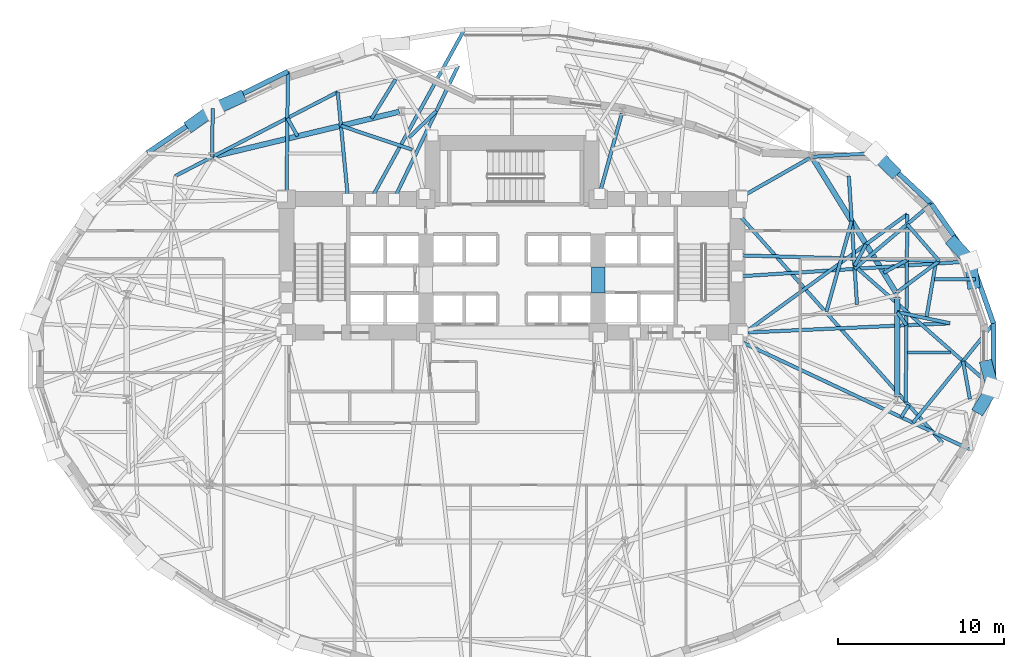
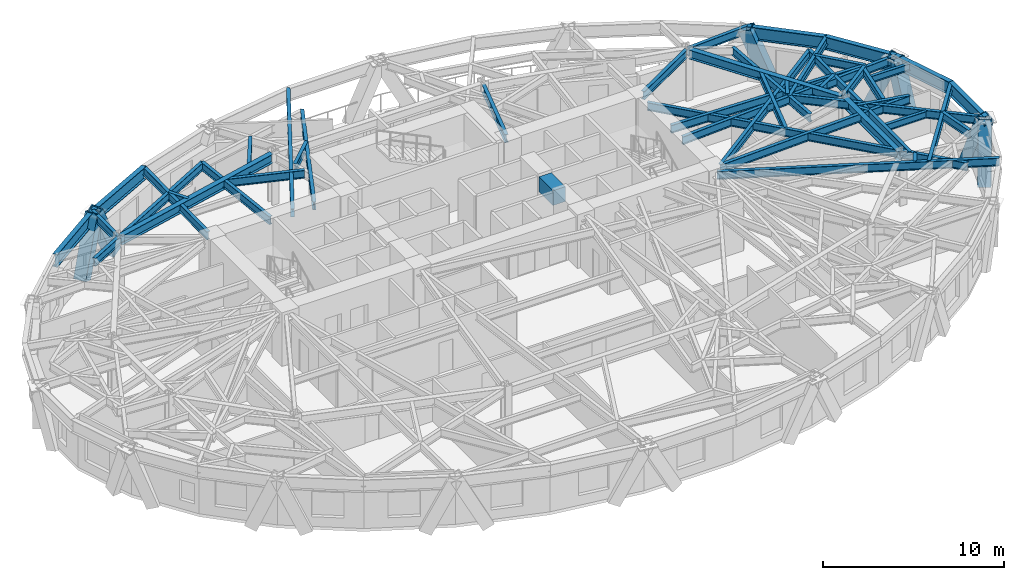
# One storey, part 4 of 15: 46 beams, 7 members.
"""IFC4 building model written with IfcOpenShell, lengths in metres."""

from ifc_helpers import new_model, si_unit, direction, frame, origin, origin_2d, place, context, subcontext, project, spatial, rectangle, hollow_rectangle, i_section, extrude, material, material_profile, profile_set, type_object, element, save


model = new_model("IFC4")

# Units and contexts
model_context = context("Model", 3, precision=1e-05, world=origin(), true_north=direction((0.0, 1.0)))
body_context = subcontext(model_context, "Body", "Model", "MODEL_VIEW")
ifc_project = project(units=[si_unit("LENGTHUNIT", "METRE"), si_unit("AREAUNIT", "SQUARE_METRE"), si_unit("VOLUMEUNIT", "CUBIC_METRE"), si_unit("PLANEANGLEUNIT", "RADIAN"), si_unit("MASSUNIT", "GRAM", prefix="KILO")], contexts=[model_context])

# Site, building, storey
site_placement = place(None, origin())
site = spatial("IfcSite", under=ifc_project, at=site_placement, CompositionType="ELEMENT")
building_placement = place(site_placement, origin())
building = spatial("IfcBuilding", under=site, at=building_placement, Name="Keldmark Tower", CompositionType="ELEMENT")
storey_placement = place(building_placement, frame((0.0, 0.0, 55.800048828125)))
storey = spatial("IfcBuildingStorey", under=building, at=storey_placement, Name="L14", CompositionType="ELEMENT", Elevation=55.800048828125)

# Beams
ifc_material_1 = material(Name="Steel ASTM A992 Grade 50", Category="steel")
ifc_material_profile_1 = material_profile(ifc_material_1, i_section(OverallWidth=0.19091796875, OverallDepth=0.45703125, WebThickness=0.009033203125, FlangeThickness=0.014404296875, at=origin_2d()), Name="W18X50")
ifc_profile_set_1 = profile_set([ifc_material_profile_1], Name="Steel ASTM A992 Grade 50")
beam_type_1 = type_object("IfcBeamType", Name="Composite Floor Joist W18X50", PredefinedType="JOIST", material=ifc_profile_set_1)
beam_1_placement = place(storey_placement, frame((23.880615234375, 0.199951171875, 3.17138671875), z_axis=(1.0, 0.0, 0.0), x_axis=(0.0, 1.0, 0.0)))
element("IfcBeam", 1, at=beam_1_placement, inside=storey, type_object=beam_type_1, Name="L14 Composite Floor Joist J11", PredefinedType="JOIST", context=body_context, shape_type="SweptSolid", body=[
    extrude(i_section(OverallWidth=0.19091796875, OverallDepth=0.45703125, WebThickness=0.009033203125, FlangeThickness=0.014404296875, at=origin_2d()), origin(), (0.0, 0.0, 1.0), 2.591796875),
])
beam_2_placement = place(storey_placement, frame((25.503173828125, 4.6201171875, 3.17138671875), z_axis=(1.0, 0.0, 0.0), x_axis=(0.0, 1.0, 0.0)))
element("IfcBeam", 2, at=beam_2_placement, inside=storey, type_object=beam_type_1, Name="L14 Composite Floor Joist J12", PredefinedType="JOIST", context=body_context, shape_type="SweptSolid", body=[
    extrude(i_section(OverallWidth=0.19091796875, OverallDepth=0.45703125, WebThickness=0.009033203125, FlangeThickness=0.014404296875, at=origin_2d()), origin(), (0.0, 0.0, 1.0), 2.4619140625),
])
ifc_material_2 = material(Name="Concrete C70/85", Category="concrete")
ifc_material_profile_2 = material_profile(ifc_material_2, rectangle(XDim=0.800048828125, YDim=1.0, at=origin_2d()), Name="RCB800X1000")
ifc_profile_set_2 = profile_set([ifc_material_profile_2], Name="Concrete C70/85")
beam_type_2 = type_object("IfcBeamType", Name="Core Coupling Beam RCB800X1000", PredefinedType="USERDEFINED", material=ifc_profile_set_2)
beam_3_placement = place(storey_placement, frame((5.199951171875, 3.800048828125, 2.89990234375), z_axis=(0.0, 1.0, 0.0), x_axis=(-1.0, 0.0, 0.0)))
element("IfcBeam", 3, at=beam_3_placement, inside=storey, type_object=beam_type_2, Name="L14 East Core Coupling Beam", ObjectType="COUPLING BEAM", PredefinedType="USERDEFINED", context=body_context, shape_type="SweptSolid", body=[
    extrude(rectangle(XDim=0.800048828125, YDim=1.0, at=origin_2d()), origin(), (0.0, 0.0, 1.0), 1.550048828125),
])

# Members
ifc_material_3 = material(Name="Steel ASTM A572 Grade 50", Category="steel")
ifc_material_profile_3 = material_profile(ifc_material_3, hollow_rectangle(XDim=0.75, YDim=0.75, WallThickness=0.06494140625, at=origin_2d()), Name="BOX750X750X65")
ifc_profile_set_3 = profile_set([ifc_material_profile_3], Name="Steel ASTM A572 Grade 50")
member_type = type_object("IfcMemberType", Name="Diagrid Lower Brace BOX750X750X65", PredefinedType="BRACE", material=ifc_profile_set_3)
member_1_placement = place(storey_placement, frame((27.8330078125, 4.400634765625, -0.280029296875), z_axis=(-0.043392408565, 0.341731312557, 0.938795403108), x_axis=(-0.992034470663, -0.125966698046, 0.0)))
element("IfcMember", 4, at=member_1_placement, inside=storey, type_object=member_type, Name="L14 Perimeter Diagrid Brace 01A", PredefinedType="BRACE", context=body_context, shape_type="SweptSolid", body=[
    extrude(hollow_rectangle(XDim=0.75, YDim=0.75, WallThickness=0.06494140625, at=origin_2d()), origin(), (0.0, 0.0, 1.0), 3.792236328125),
])
member_2_placement = place(storey_placement, frame((26.656494140625, 6.791015625, -0.280029296875), z_axis=(0.2625061582, -0.286266946713, 0.921488877918), x_axis=(0.737032563486, 0.675857233713, 0.0)))
element("IfcMember", 5, at=member_2_placement, inside=storey, type_object=member_type, Name="L14 Perimeter Diagrid Brace 01B", PredefinedType="BRACE", context=body_context, shape_type="SweptSolid", body=[
    extrude(hollow_rectangle(XDim=0.75, YDim=0.75, WallThickness=0.06494140625, at=origin_2d()), origin(), (0.0, 0.0, 1.0), 3.86328125),
])
member_3_placement = place(storey_placement, frame((22.982666015625, 11.1591796875, -0.280029296875), z_axis=(-0.267102548607, 0.274198251985, 0.923835238089), x_axis=(-0.716314429626, -0.697777642168, 0.0)))
element("IfcMember", 6, at=member_3_placement, inside=storey, type_object=member_type, Name="L14 Perimeter Diagrid Brace 02A", PredefinedType="BRACE", context=body_context, shape_type="SweptSolid", body=[
    extrude(hollow_rectangle(XDim=0.75, YDim=0.75, WallThickness=0.06494140625, at=origin_2d()), origin(), (0.0, 0.0, 1.0), 3.853515625),
])
member_4_placement = place(storey_placement, frame((-16.474853515625, 15.562744140625, -0.280029296875), z_axis=(-0.394398045756, -0.176387521797, 0.901852329186), x_axis=(0.408262474326, -0.912864585827, 0.0)))
element("IfcMember", 7, at=member_4_placement, inside=storey, type_object=member_type, Name="L14 Perimeter Diagrid Brace 06A", PredefinedType="BRACE", context=body_context, shape_type="SweptSolid", body=[
    extrude(hollow_rectangle(XDim=0.75, YDim=0.75, WallThickness=0.06494140625, at=origin_2d()), origin(), (0.0, 0.0, 1.0), 3.947509765625),
])
member_5_placement = place(storey_placement, frame((-19.30078125, 13.953369140625, -0.280029296875), z_axis=(0.328492196876, 0.23624095182, 0.914485149838), x_axis=(-0.583859583591, 0.811854658574, 0.0)))
element("IfcMember", 8, at=member_5_placement, inside=storey, type_object=member_type, Name="L14 Perimeter Diagrid Brace 06B", PredefinedType="BRACE", context=body_context, shape_type="SweptSolid", body=[
    extrude(hollow_rectangle(XDim=0.75, YDim=0.75, WallThickness=0.06494140625, at=origin_2d()), origin(), (0.0, 0.0, 1.0), 3.89306640625),
])
member_6_placement = place(storey_placement, frame((28.24560546875, -3.14453125, -0.280029296875), z_axis=(0.19664564378, 0.31824540798, 0.927388996636), x_axis=(-0.850699620762, 0.52565212378, 0.0)))
element("IfcMember", 9, at=member_6_placement, inside=storey, type_object=member_type, Name="L14 Perimeter Diagrid Brace 16A", PredefinedType="BRACE", context=body_context, shape_type="SweptSolid", body=[
    extrude(hollow_rectangle(XDim=0.75, YDim=0.75, WallThickness=0.06494140625, at=origin_2d()), origin(), (0.0, 0.0, 1.0), 3.8388671875),
])
member_7_placement = place(storey_placement, frame((28.65380859375, -0.633056640625, -0.280029296875), z_axis=(0.090509259011, -0.341895358277, 0.935369252232), x_axis=(0.966699949317, 0.255912500654, 0.0)))
element("IfcMember", 10, at=member_7_placement, inside=storey, type_object=member_type, Name="L14 Perimeter Diagrid Brace 16B", PredefinedType="BRACE", context=body_context, shape_type="SweptSolid", body=[
    extrude(hollow_rectangle(XDim=0.75, YDim=0.75, WallThickness=0.06494140625, at=origin_2d()), origin(), (0.0, 0.0, 1.0), 3.80615234375),
])

# Beams
ifc_material_4 = material(Name="Steel ASTM A992 Grade 50", Category="steel")
ifc_material_profile_4 = material_profile(ifc_material_4, i_section(OverallWidth=0.323974609375, OverallDepth=0.611083984375, WebThickness=0.0126953125, FlangeThickness=0.01904296875, at=origin_2d()), Name="W24X104")
ifc_profile_set_4 = profile_set([ifc_material_profile_4], Name="Steel ASTM A992 Grade 50")
beam_type_3 = type_object("IfcBeamType", Name="Primary Floor Girder W24X104", PredefinedType="BEAM", material=ifc_profile_set_4)
beam_4_placement = place(storey_placement, frame((23.180419921875, 3.796142578125, 3.094482421875), z_axis=(-0.526318405849, 0.850287560573, 0.0), x_axis=(-0.850287560573, -0.526318405849, 0.0)))
element("IfcBeam", 11, at=beam_4_placement, inside=storey, type_object=beam_type_3, Name="L14 Floor Ring Girder FG-R01", PredefinedType="BEAM", context=body_context, shape_type="SweptSolid", body=[
    extrude(i_section(OverallWidth=0.323974609375, OverallDepth=0.611083984375, WebThickness=0.0126953125, FlangeThickness=0.01904296875, at=origin_2d()), origin(), (0.0, 0.0, 1.0), 9.51708984375),
])
beam_5_placement = place(storey_placement, frame((-6.80126953125, 14.727294921875, 3.094482421875), z_axis=(-0.972218707757, -0.2340743136, 0.0), x_axis=(0.2340743136, -0.972218707757, 0.0)))
element("IfcBeam", 12, at=beam_5_placement, inside=storey, type_object=beam_type_3, Name="L14 Floor Ring Girder FG-R04", PredefinedType="BEAM", context=body_context, shape_type="SweptSolid", body=[
    extrude(i_section(OverallWidth=0.323974609375, OverallDepth=0.611083984375, WebThickness=0.0126953125, FlangeThickness=0.01904296875, at=origin_2d()), origin(), (0.0, 0.0, 1.0), 11.479248046875),
])
beam_6_placement = place(storey_placement, frame((23.25390625, -2.47314453125, 3.094482421875), z_axis=(0.0, 1.0, 0.0), x_axis=(-1.0, 0.0, 0.0)))
element("IfcBeam", 13, at=beam_6_placement, inside=storey, type_object=beam_type_3, Name="L14 Floor Ring Girder FG-R12", PredefinedType="BEAM", context=body_context, shape_type="SweptSolid", body=[
    extrude(i_section(OverallWidth=0.323974609375, OverallDepth=0.611083984375, WebThickness=0.0126953125, FlangeThickness=0.01904296875, at=origin_2d()), origin(), (0.0, 0.0, 1.0), 6.01025390625),
])
ifc_material_5 = material(Name="Steel ASTM A992 Grade 50", Category="steel")
ifc_material_profile_5 = material_profile(ifc_material_5, i_section(OverallWidth=0.2099609375, OverallDepth=0.537109375, WebThickness=0.010986328125, FlangeThickness=0.017333984375, at=origin_2d()), Name="W21X68")
ifc_profile_set_5 = profile_set([ifc_material_profile_5], Name="Steel ASTM A992 Grade 50")
beam_type_4 = type_object("IfcBeamType", Name="Radial Tie Girder W21X68", PredefinedType="BEAM", material=ifc_profile_set_5)
beam_7_placement = place(storey_placement, frame((18.974853515625, 2.66796875, 3.13134765625), z_axis=(0.268585299903, 0.963255904044, 0.0), x_axis=(-0.963255904044, 0.268585299903, 0.0)))
element("IfcBeam", 14, at=beam_7_placement, inside=storey, type_object=beam_type_4, Name="L14 Framing Pin Header PH-001", PredefinedType="BEAM", context=body_context, shape_type="SweptSolid", body=[
    extrude(i_section(OverallWidth=0.2099609375, OverallDepth=0.537109375, WebThickness=0.010986328125, FlangeThickness=0.017333984375, at=origin_2d()), origin(), (0.0, 0.0, 1.0), 5.670166015625),
])
beam_8_placement = place(storey_placement, frame((20.816162109375, 3.102294921875, 3.13134765625), z_axis=(-0.063210769608, 0.998000199702, 0.0), x_axis=(-0.998000199702, -0.063210769608, 0.0)))
element("IfcBeam", 15, at=beam_8_placement, inside=storey, type_object=beam_type_4, Name="L14 Sub-Ring Step Girder STP1-M01", PredefinedType="BEAM", context=body_context, shape_type="SweptSolid", body=[
    extrude(i_section(OverallWidth=0.2099609375, OverallDepth=0.537109375, WebThickness=0.010986328125, FlangeThickness=0.017333984375, at=origin_2d()), origin(), (0.0, 0.0, 1.0), 7.759521484375),
])
beam_9_placement = place(storey_placement, frame((-6.22509765625, 13.1650390625, 3.13134765625), z_axis=(0.720561753451, 0.69339076967, 0.0), x_axis=(-0.69339076967, 0.720561753451, 0.0)))
element("IfcBeam", 16, at=beam_9_placement, inside=storey, type_object=beam_type_4, Name="L14 Framing Pin Header PH-004", PredefinedType="BEAM", context=body_context, shape_type="SweptSolid", body=[
    extrude(i_section(OverallWidth=0.2099609375, OverallDepth=0.537109375, WebThickness=0.010986328125, FlangeThickness=0.017333984375, at=origin_2d()), origin(), (0.0, 0.0, 1.0), 2.30029296875),
])
beam_10_placement = place(storey_placement, frame((-7.121337890625, 9.449951171875, 3.13134765625), z_axis=(0.43338141328, 0.901210602813, 0.0), x_axis=(-0.901210602813, 0.43338141328, 0.0)))
element("IfcBeam", 17, at=beam_10_placement, inside=storey, type_object=beam_type_4, Name="L14 Sub-Ring Step Girder STP1-M04", PredefinedType="BEAM", context=body_context, shape_type="SweptSolid", body=[
    extrude(i_section(OverallWidth=0.2099609375, OverallDepth=0.537109375, WebThickness=0.010986328125, FlangeThickness=0.017333984375, at=origin_2d()), origin(), (0.0, 0.0, 1.0), 8.944091796875),
])
beam_11_placement = place(storey_placement, frame((-6.023681640625, 12.43505859375, 3.13134765625), z_axis=(-0.94783425049, 0.318763601432, 0.0), x_axis=(-0.318763601432, -0.94783425049, 0.0)))
element("IfcBeam", 18, at=beam_11_placement, inside=storey, type_object=beam_type_4, Name="L14 Framing Pin Header PH-005", PredefinedType="BEAM", context=body_context, shape_type="SweptSolid", body=[
    extrude(i_section(OverallWidth=0.2099609375, OverallDepth=0.537109375, WebThickness=0.010986328125, FlangeThickness=0.017333984375, at=origin_2d()), origin(), (0.0, 0.0, 1.0), 4.532470703125),
])
beam_12_placement = place(storey_placement, frame((-9.892822265625, 9.449951171875, 3.13134765625), z_axis=(-0.095949442733, 0.995386208685, 0.0), x_axis=(-0.995386208685, -0.095949442733, 0.0)))
element("IfcBeam", 19, at=beam_12_placement, inside=storey, type_object=beam_type_4, Name="L14 Sub-Ring Step Girder STP1-M05", PredefinedType="BEAM", context=body_context, shape_type="SweptSolid", body=[
    extrude(i_section(OverallWidth=0.2099609375, OverallDepth=0.537109375, WebThickness=0.010986328125, FlangeThickness=0.017333984375, at=origin_2d()), origin(), (0.0, 0.0, 1.0), 6.49609375),
])
beam_13_placement = place(storey_placement, frame((-10.51611328125, 15.916015625, 3.13134765625), z_axis=(-0.888368795713, -0.459130572717, 0.0), x_axis=(0.459130572717, -0.888368795713, 0.0)))
element("IfcBeam", 20, at=beam_13_placement, inside=storey, type_object=beam_type_4, Name="L14 Perimeter Collector Ring Beam CRG1-M05", PredefinedType="BEAM", context=body_context, shape_type="SweptSolid", body=[
    extrude(i_section(OverallWidth=0.2099609375, OverallDepth=0.537109375, WebThickness=0.010986328125, FlangeThickness=0.017333984375, at=origin_2d()), origin(), (0.0, 0.0, 1.0), 11.042236328125),
])
beam_14_placement = place(storey_placement, frame((20.669189453125, 5.42529296875, 3.13134765625), z_axis=(0.471111330704, 0.882073757734, 0.0), x_axis=(-0.882073757734, 0.471111330704, 0.0)))
element("IfcBeam", 21, at=beam_14_placement, inside=storey, type_object=beam_type_4, Name="L14 Framing Pin Header PH-007", PredefinedType="BEAM", context=body_context, shape_type="SweptSolid", body=[
    extrude(i_section(OverallWidth=0.2099609375, OverallDepth=0.537109375, WebThickness=0.010986328125, FlangeThickness=0.017333984375, at=origin_2d()), origin(), (0.0, 0.0, 1.0), 1.4775390625),
])
beam_15_placement = place(storey_placement, frame((14.050048828125, 1.39990234375, 3.13134765625), z_axis=(0.808278789817, 0.588799964277, 0.0), x_axis=(-0.588799964277, 0.808278789817, 0.0)))
element("IfcBeam", 22, at=beam_15_placement, inside=storey, type_object=beam_type_4, Name="L14 Sub-Ring Step Girder STP2-M01", PredefinedType="BEAM", context=body_context, shape_type="SweptSolid", body=[
    extrude(i_section(OverallWidth=0.2099609375, OverallDepth=0.537109375, WebThickness=0.010986328125, FlangeThickness=0.017333984375, at=origin_2d()), origin(), (0.0, 0.0, 1.0), 12.126953125),
])
beam_16_placement = place(storey_placement, frame((23.85205078125, 8.540283203125, 3.13134765625), z_axis=(-0.008090873749, -0.999967268345, 0.0), x_axis=(0.999967268345, -0.008090873749, 0.0)))
element("IfcBeam", 23, at=beam_16_placement, inside=storey, type_object=beam_type_4, Name="L14 Framing Pin Header PH-010", PredefinedType="BEAM", context=body_context, shape_type="SweptSolid", body=[
    extrude(i_section(OverallWidth=0.2099609375, OverallDepth=0.537109375, WebThickness=0.010986328125, FlangeThickness=0.017333984375, at=origin_2d()), origin(), (0.0, 0.0, 1.0), 11.315673828125),
])
beam_17_placement = place(storey_placement, frame((13.60009765625, 8.621337890625, 3.13134765625), z_axis=(0.665474615343, -0.746420482258, 0.0), x_axis=(0.746420482258, 0.665474615343, 0.0)))
element("IfcBeam", 24, at=beam_17_placement, inside=storey, type_object=beam_type_4, Name="L14 Sub-Ring Step Girder STP2-M12", PredefinedType="BEAM", context=body_context, shape_type="SweptSolid", body=[
    extrude(i_section(OverallWidth=0.2099609375, OverallDepth=0.537109375, WebThickness=0.010986328125, FlangeThickness=0.017333984375, at=origin_2d()), origin(), (0.0, 0.0, 1.0), 18.582275390625),
])
beam_18_placement = place(storey_placement, frame((23.25390625, 2.635498046875, 3.13134765625), z_axis=(0.565548087279, -0.824715321171, 0.0), x_axis=(0.824715321171, 0.565548087279, 0.0)))
element("IfcBeam", 25, at=beam_18_placement, inside=storey, type_object=beam_type_4, Name="L14 Framing Pin Header PH-011", PredefinedType="BEAM", context=body_context, shape_type="SweptSolid", body=[
    extrude(i_section(OverallWidth=0.2099609375, OverallDepth=0.537109375, WebThickness=0.010986328125, FlangeThickness=0.017333984375, at=origin_2d()), origin(), (0.0, 0.0, 1.0), 0.9619140625),
])
beam_19_placement = place(storey_placement, frame((14.050048828125, 1.39990234375, 3.13134765625), z_axis=(0.998971787599, 0.045336161952, 0.0), x_axis=(-0.045336161952, 0.998971787599, 0.0)))
element("IfcBeam", 26, at=beam_19_placement, inside=storey, type_object=beam_type_4, Name="L14 Intermediate Radial Step Girder RT-01M", PredefinedType="BEAM", context=body_context, shape_type="SweptSolid", body=[
    extrude(i_section(OverallWidth=0.2099609375, OverallDepth=0.537109375, WebThickness=0.010986328125, FlangeThickness=0.017333984375, at=origin_2d()), origin(), (0.0, 0.0, 1.0), 12.39111328125),
])
beam_20_placement = place(storey_placement, frame((23.25390625, 2.635498046875, 3.13134765625), z_axis=(0.978206814607, -0.207632916121, 0.0), x_axis=(0.207632916121, 0.978206814607, 0.0)))
element("IfcBeam", 27, at=beam_20_placement, inside=storey, type_object=beam_type_4, Name="L14 Local Collector Chord RT-01C", PredefinedType="BEAM", context=body_context, shape_type="SweptSolid", body=[
    extrude(i_section(OverallWidth=0.2099609375, OverallDepth=0.537109375, WebThickness=0.010986328125, FlangeThickness=0.017333984375, at=origin_2d()), origin(), (0.0, 0.0, 1.0), 3.245361328125),
])
beam_21_placement = place(storey_placement, frame((22.428955078125, 5.010009765625, 3.13134765625), z_axis=(0.877977440138, 0.478702010241, 0.0), x_axis=(-0.478702010241, 0.877977440138, 0.0)))
element("IfcBeam", 28, at=beam_21_placement, inside=storey, type_object=beam_type_4, Name="L14 Framing Pin Header PH-012", PredefinedType="BEAM", context=body_context, shape_type="SweptSolid", body=[
    extrude(i_section(OverallWidth=0.2099609375, OverallDepth=0.537109375, WebThickness=0.010986328125, FlangeThickness=0.017333984375, at=origin_2d()), origin(), (0.0, 0.0, 1.0), 1.59521484375),
])
beam_22_placement = place(storey_placement, frame((13.60009765625, 6.064208984375, 3.13134765625), z_axis=(0.999596796365, -0.028394448329, 0.0), x_axis=(0.028394448329, 0.999596796365, 0.0)))
element("IfcBeam", 29, at=beam_22_placement, inside=storey, type_object=beam_type_4, Name="L14 Intermediate Radial Step Girder RT-02M", PredefinedType="BEAM", context=body_context, shape_type="SweptSolid", body=[
    extrude(i_section(OverallWidth=0.2099609375, OverallDepth=0.537109375, WebThickness=0.010986328125, FlangeThickness=0.017333984375, at=origin_2d()), origin(), (0.0, 0.0, 1.0), 12.18359375),
])
beam_23_placement = place(storey_placement, frame((23.180419921875, 3.796142578125, 3.13134765625), z_axis=(0.803943742736, 0.59470535437, 0.0), x_axis=(-0.59470535437, 0.803943742736, 0.0)))
element("IfcBeam", 30, at=beam_23_placement, inside=storey, type_object=beam_type_4, Name="L14 Local Collector Chord RT-02C", PredefinedType="BEAM", context=body_context, shape_type="SweptSolid", body=[
    extrude(i_section(OverallWidth=0.2099609375, OverallDepth=0.537109375, WebThickness=0.010986328125, FlangeThickness=0.017333984375, at=origin_2d()), origin(), (0.0, 0.0, 1.0), 3.23193359375),
])
beam_24_placement = place(storey_placement, frame((25.0, 2.264892578125, 3.13134765625), z_axis=(0.169721209983, 0.985492116093, 0.0), x_axis=(-0.985492116093, 0.169721209983, 0.0)))
element("IfcBeam", 31, at=beam_24_placement, inside=storey, type_object=beam_type_4, Name="L14 Framing Pin Header PH-013", PredefinedType="BEAM", context=body_context, shape_type="SweptSolid", body=[
    extrude(i_section(OverallWidth=0.2099609375, OverallDepth=0.537109375, WebThickness=0.010986328125, FlangeThickness=0.017333984375, at=origin_2d()), origin(), (0.0, 0.0, 1.0), 3.345947265625),
])
beam_25_placement = place(storey_placement, frame((13.60009765625, 4.78564453125, 3.13134765625), z_axis=(0.997901330243, 0.064752877153, 0.0), x_axis=(-0.064752877153, 0.997901330243, 0.0)))
element("IfcBeam", 32, at=beam_25_placement, inside=storey, type_object=beam_type_4, Name="L14 Perimeter Radial Tie Girder RT-02", PredefinedType="BEAM", context=body_context, shape_type="SweptSolid", body=[
    extrude(i_section(OverallWidth=0.2099609375, OverallDepth=0.537109375, WebThickness=0.010986328125, FlangeThickness=0.017333984375, at=origin_2d()), origin(), (0.0, 0.0, 1.0), 14.15771484375),
])
beam_26_placement = place(storey_placement, frame((25.77880859375, 5.71826171875, 3.13134765625), z_axis=(-0.656540215805, 0.754291021444, 0.0), x_axis=(-0.754291021444, -0.656540215805, 0.0)))
element("IfcBeam", 33, at=beam_26_placement, inside=storey, type_object=beam_type_4, Name="L14 Framing Pin Header PH-014", PredefinedType="BEAM", context=body_context, shape_type="SweptSolid", body=[
    extrude(i_section(OverallWidth=0.2099609375, OverallDepth=0.537109375, WebThickness=0.010986328125, FlangeThickness=0.017333984375, at=origin_2d()), origin(), (0.0, 0.0, 1.0), 2.942138671875),
])
beam_27_placement = place(storey_placement, frame((20.6640625, 5.244140625, 3.13134765625), z_axis=(0.763415237161, 0.645908024158, 0.0), x_axis=(-0.645908024158, 0.763415237161, 0.0)))
element("IfcBeam", 34, at=beam_27_placement, inside=storey, type_object=beam_type_4, Name="L14 Perimeter Radial Tie Girder RT-03", PredefinedType="BEAM", context=body_context, shape_type="SweptSolid", body=[
    extrude(i_section(OverallWidth=0.2099609375, OverallDepth=0.537109375, WebThickness=0.010986328125, FlangeThickness=0.017333984375, at=origin_2d()), origin(), (0.0, 0.0, 1.0), 6.0771484375),
])
beam_28_placement = place(storey_placement, frame((18.09765625, 12.00732421875, 3.13134765625), z_axis=(0.998169637289, 0.060476236613, 0.0), x_axis=(-0.060476236613, 0.998169637289, 0.0)))
element("IfcBeam", 35, at=beam_28_placement, inside=storey, type_object=beam_type_4, Name="L14 Perimeter Column Bracket RT-04", PredefinedType="BEAM", context=body_context, shape_type="SweptSolid", body=[
    extrude(i_section(OverallWidth=0.2099609375, OverallDepth=0.537109375, WebThickness=0.010986328125, FlangeThickness=0.017333984375, at=origin_2d()), origin(), (0.0, 0.0, 1.0), 3.915771484375),
])
beam_29_placement = place(storey_placement, frame((-8.507080078125, 9.449951171875, 3.13134765625), z_axis=(0.482403219224, 0.875949275976, 0.0), x_axis=(-0.875949275976, 0.482403219224, 0.0)))
element("IfcBeam", 36, at=beam_29_placement, inside=storey, type_object=beam_type_4, Name="L14 Perimeter Radial Tie Girder RT-09", PredefinedType="BEAM", context=body_context, shape_type="SweptSolid", body=[
    extrude(i_section(OverallWidth=0.2099609375, OverallDepth=0.537109375, WebThickness=0.010986328125, FlangeThickness=0.017333984375, at=origin_2d()), origin(), (0.0, 0.0, 1.0), 11.701904296875),
])
beam_30_placement = place(storey_placement, frame((-8.475341796875, 14.32421875, 3.13134765625), z_axis=(0.524800377393, 0.851225330854, 0.0), x_axis=(-0.851225330854, 0.524800377393, 0.0)))
element("IfcBeam", 37, at=beam_30_placement, inside=storey, type_object=beam_type_4, Name="L14 Framing Pin Header PH-019", PredefinedType="BEAM", context=body_context, shape_type="SweptSolid", body=[
    extrude(i_section(OverallWidth=0.2099609375, OverallDepth=0.537109375, WebThickness=0.010986328125, FlangeThickness=0.017333984375, at=origin_2d()), origin(), (0.0, 0.0, 1.0), 2.770263671875),
])
beam_31_placement = place(storey_placement, frame((-12.939453125, 13.249267578125, 3.13134765625), z_axis=(-0.488822163105, 0.872383455172, 0.0), x_axis=(-0.872383455172, -0.488822163105, 0.0)))
element("IfcBeam", 38, at=beam_31_placement, inside=storey, type_object=beam_type_4, Name="L14 Framing Pin Header PH-020", PredefinedType="BEAM", context=body_context, shape_type="SweptSolid", body=[
    extrude(i_section(OverallWidth=0.2099609375, OverallDepth=0.537109375, WebThickness=0.010986328125, FlangeThickness=0.017333984375, at=origin_2d()), origin(), (0.0, 0.0, 1.0), 1.257080078125),
])
beam_32_placement = place(storey_placement, frame((-13.60009765625, 9.89990234375, 3.13134765625), z_axis=(0.010364229953, 0.999946289926, 0.0), x_axis=(-0.999946289926, 0.010364229953, 0.0)))
element("IfcBeam", 39, at=beam_32_placement, inside=storey, type_object=beam_type_4, Name="L14 Perimeter Radial Tie Girder RT-11", PredefinedType="BEAM", context=body_context, shape_type="SweptSolid", body=[
    extrude(i_section(OverallWidth=0.2099609375, OverallDepth=0.537109375, WebThickness=0.010986328125, FlangeThickness=0.017333984375, at=origin_2d()), origin(), (0.0, 0.0, 1.0), 7.25537109375),
])
beam_33_placement = place(storey_placement, frame((-18.09765625, 12.00732421875, 3.13134765625), z_axis=(0.012909722214, 0.999916666064, 0.0), x_axis=(-0.999916666064, 0.012909722214, 0.0)))
element("IfcBeam", 40, at=beam_33_placement, inside=storey, type_object=beam_type_4, Name="L14 Perimeter Column Bracket RT-12", PredefinedType="BEAM", context=body_context, shape_type="SweptSolid", body=[
    extrude(i_section(OverallWidth=0.2099609375, OverallDepth=0.537109375, WebThickness=0.010986328125, FlangeThickness=0.017333984375, at=origin_2d()), origin(), (0.0, 0.0, 1.0), 2.912353515625),
])
beam_34_placement = place(storey_placement, frame((13.60009765625, 0.949951171875, 3.13134765625), z_axis=(0.904722304775, -0.426001820704, 0.0), x_axis=(0.426001820704, 0.904722304775, 0.0)))
element("IfcBeam", 41, at=beam_34_placement, inside=storey, type_object=beam_type_4, Name="L14 Perimeter Radial Tie Girder RT-31", PredefinedType="BEAM", context=body_context, shape_type="SweptSolid", body=[
    extrude(i_section(OverallWidth=0.2099609375, OverallDepth=0.537109375, WebThickness=0.010986328125, FlangeThickness=0.017333984375, at=origin_2d()), origin(), (0.0, 0.0, 1.0), 15.61572265625),
])
beam_35_placement = place(storey_placement, frame((23.48974609375, -3.706787109375, 3.13134765625), z_axis=(0.527001364607, 0.84986443725, 0.0), x_axis=(-0.84986443725, 0.527001364607, 0.0)))
element("IfcBeam", 42, at=beam_35_placement, inside=storey, type_object=beam_type_4, Name="L14 Framing Pin Header PH-044", PredefinedType="BEAM", context=body_context, shape_type="SweptSolid", body=[
    extrude(i_section(OverallWidth=0.2099609375, OverallDepth=0.537109375, WebThickness=0.010986328125, FlangeThickness=0.017333984375, at=origin_2d()), origin(), (0.0, 0.0, 1.0), 0.857421875),
])
beam_36_placement = place(storey_placement, frame((29.05810546875, -1.940185546875, 3.13134765625), z_axis=(-0.751457943704, 0.659780993091, 0.0), x_axis=(-0.659780993091, -0.751457943704, 0.0)))
element("IfcBeam", 43, at=beam_36_placement, inside=storey, type_object=beam_type_4, Name="L14 Straddling Support Chord RT-01RB", PredefinedType="BEAM", context=body_context, shape_type="SweptSolid", body=[
    extrude(i_section(OverallWidth=0.2099609375, OverallDepth=0.537109375, WebThickness=0.010986328125, FlangeThickness=0.017333984375, at=origin_2d()), origin(), (0.0, 0.0, 1.0), 11.16357421875),
])
beam_37_placement = place(storey_placement, frame((27.632080078125, -2.6123046875, 3.13134765625), z_axis=(-0.178460475629, 0.983947081218, 0.0), x_axis=(-0.983947081218, -0.178460475629, 0.0)))
element("IfcBeam", 44, at=beam_37_placement, inside=storey, type_object=beam_type_4, Name="L14 Framing Pin Header PH-046", PredefinedType="BEAM", context=body_context, shape_type="SweptSolid", body=[
    extrude(i_section(OverallWidth=0.2099609375, OverallDepth=0.537109375, WebThickness=0.010986328125, FlangeThickness=0.017333984375, at=origin_2d()), origin(), (0.0, 0.0, 1.0), 2.32568359375),
])
beam_38_placement = place(storey_placement, frame((24.196044921875, -4.039306640625, 3.13134765625), z_axis=(0.630883578627, 0.775877509803, 0.0), x_axis=(-0.775877509803, 0.630883578627, 0.0)))
element("IfcBeam", 45, at=beam_38_placement, inside=storey, type_object=beam_type_4, Name="L14 Perimeter Radial Tie Girder RT-01R", PredefinedType="BEAM", context=body_context, shape_type="SweptSolid", body=[
    extrude(i_section(OverallWidth=0.2099609375, OverallDepth=0.537109375, WebThickness=0.010986328125, FlangeThickness=0.017333984375, at=origin_2d()), origin(), (0.0, 0.0, 1.0), 7.706787109375),
])
ifc_material_6 = material(Name="Steel ASTM A992 Grade 50", Category="steel")
ifc_material_profile_6 = material_profile(ifc_material_6, i_section(OverallWidth=0.214111328125, OverallDepth=0.549072265625, WebThickness=0.0146484375, FlangeThickness=0.023681640625, at=origin_2d()), Name="W21X93")
ifc_profile_set_6 = profile_set([ifc_material_profile_6], Name="Steel ASTM A992 Grade 50")
beam_type_5 = type_object("IfcBeamType", Name="Radial Tie Girder W21X93", PredefinedType="BEAM", material=ifc_profile_set_6)
beam_39_placement = place(storey_placement, frame((17.97607421875, 11.938232421875, 3.12548828125), z_axis=(-0.869299282131, -0.494286109542, 0.0), x_axis=(0.494286109542, -0.869299282131, 0.0)))
element("IfcBeam", 46, at=beam_39_placement, inside=storey, type_object=beam_type_5, Name="L14 Floor Radial Girder FG-C02", PredefinedType="BEAM", context=body_context, shape_type="SweptSolid", body=[
    extrude(i_section(OverallWidth=0.214111328125, OverallDepth=0.549072265625, WebThickness=0.0146484375, FlangeThickness=0.023681640625, at=origin_2d()), origin(), (0.0, 0.0, 1.0), 4.714111328125),
])
beam_40_placement = place(storey_placement, frame((6.6279296875, 14.625, 3.12548828125), z_axis=(-0.265984786353, -0.963977226613, 0.0), x_axis=(0.963977226613, -0.265984786353, 0.0)))
element("IfcBeam", 47, at=beam_40_placement, inside=storey, type_object=beam_type_5, Name="L14 Floor Radial Girder FG-C03", PredefinedType="BEAM", context=body_context, shape_type="SweptSolid", body=[
    extrude(i_section(OverallWidth=0.214111328125, OverallDepth=0.549072265625, WebThickness=0.0146484375, FlangeThickness=0.023681640625, at=origin_2d()), origin(), (0.0, 0.0, 1.0), 5.04833984375),
])
ifc_material_7 = material(Name="Steel ASTM A992 Grade 50", Category="steel")
ifc_material_profile_7 = material_profile(ifc_material_7, i_section(OverallWidth=0.2919921875, OverallDepth=0.85888671875, WebThickness=0.01708984375, FlangeThickness=0.031005859375, at=origin_2d()), Name="W33X169")
ifc_profile_set_7 = profile_set([ifc_material_profile_7], Name="Steel ASTM A992 Grade 50")
beam_type_6 = type_object("IfcBeamType", Name="Spandrel Ring Beam W33X169", PredefinedType="SPANDREL", material=ifc_profile_set_7)
beam_41_placement = place(storey_placement, frame((29.05810546875, 1.940185546875, 2.970458984375), z_axis=(-0.333319315882, 0.942813997382, 0.0), x_axis=(-0.942813997382, -0.333319315882, 0.0)))
element("IfcBeam", 48, at=beam_41_placement, inside=storey, type_object=beam_type_6, Name="L14 Perimeter Spandrel Ring Beam SRB-01", PredefinedType="SPANDREL", context=body_context, shape_type="SweptSolid", body=[
    extrude(i_section(OverallWidth=0.2919921875, OverallDepth=0.85888671875, WebThickness=0.01708984375, FlangeThickness=0.031005859375, at=origin_2d()), origin(), (0.0, 0.0, 1.0), 3.990478515625),
])
beam_42_placement = place(storey_placement, frame((27.72802734375, 5.702392578125, 2.970458984375), z_axis=(-0.573086608679, 0.819494807154, 0.0), x_axis=(-0.819494807154, -0.573086608679, 0.0)))
element("IfcBeam", 49, at=beam_42_placement, inside=storey, type_object=beam_type_6, Name="L14 Perimeter Spandrel Ring Beam SRB-02", PredefinedType="SPANDREL", context=body_context, shape_type="SweptSolid", body=[
    extrude(i_section(OverallWidth=0.2919921875, OverallDepth=0.85888671875, WebThickness=0.01708984375, FlangeThickness=0.031005859375, at=origin_2d()), origin(), (0.0, 0.0, 1.0), 4.230712890625),
])
beam_43_placement = place(storey_placement, frame((25.303466796875, 9.16943359375, 2.970458984375), z_axis=(-0.731343335822, 0.682009475849, 0.0), x_axis=(-0.682009475849, -0.731343335822, 0.0)))
element("IfcBeam", 50, at=beam_43_placement, inside=storey, type_object=beam_type_6, Name="L14 Perimeter Spandrel Ring Beam SRB-03", PredefinedType="SPANDREL", context=body_context, shape_type="SweptSolid", body=[
    extrude(i_section(OverallWidth=0.2919921875, OverallDepth=0.85888671875, WebThickness=0.01708984375, FlangeThickness=0.031005859375, at=origin_2d()), origin(), (0.0, 0.0, 1.0), 4.50830078125),
])
beam_44_placement = place(storey_placement, frame((-13.52490234375, 17.15478515625, 2.970458984375), z_axis=(-0.896962161347, -0.442107318545, 0.0), x_axis=(0.442107318545, -0.896962161347, 0.0)))
element("IfcBeam", 51, at=beam_44_placement, inside=storey, type_object=beam_type_6, Name="L14 Perimeter Spandrel Ring Beam SRB-11", PredefinedType="SPANDREL", context=body_context, shape_type="SweptSolid", body=[
    extrude(i_section(OverallWidth=0.2919921875, OverallDepth=0.85888671875, WebThickness=0.01708984375, FlangeThickness=0.031005859375, at=origin_2d()), origin(), (0.0, 0.0, 1.0), 5.05615234375),
])
beam_45_placement = place(storey_placement, frame((-18.06005859375, 14.91943359375, 2.970458984375), z_axis=(-0.827723816917, -0.561135708103, 0.0), x_axis=(0.561135708103, -0.827723816917, 0.0)))
element("IfcBeam", 52, at=beam_45_placement, inside=storey, type_object=beam_type_6, Name="L14 Perimeter Spandrel Ring Beam SRB-12", PredefinedType="SPANDREL", context=body_context, shape_type="SweptSolid", body=[
    extrude(i_section(OverallWidth=0.2919921875, OverallDepth=0.85888671875, WebThickness=0.01708984375, FlangeThickness=0.031005859375, at=origin_2d()), origin(), (0.0, 0.0, 1.0), 4.767578125),
])
beam_46_placement = place(storey_placement, frame((29.05810546875, -1.940185546875, 2.970458984375), z_axis=(0.0, 1.0, 0.0), x_axis=(-1.0, 0.0, 0.0)))
element("IfcBeam", 53, at=beam_46_placement, inside=storey, type_object=beam_type_6, Name="L14 Perimeter Spandrel Ring Beam SRB-32", PredefinedType="SPANDREL", context=body_context, shape_type="SweptSolid", body=[
    extrude(i_section(OverallWidth=0.2919921875, OverallDepth=0.85888671875, WebThickness=0.01708984375, FlangeThickness=0.031005859375, at=origin_2d()), origin(), (0.0, 0.0, 1.0), 3.88037109375),
])

save(model, "model.ifc")
